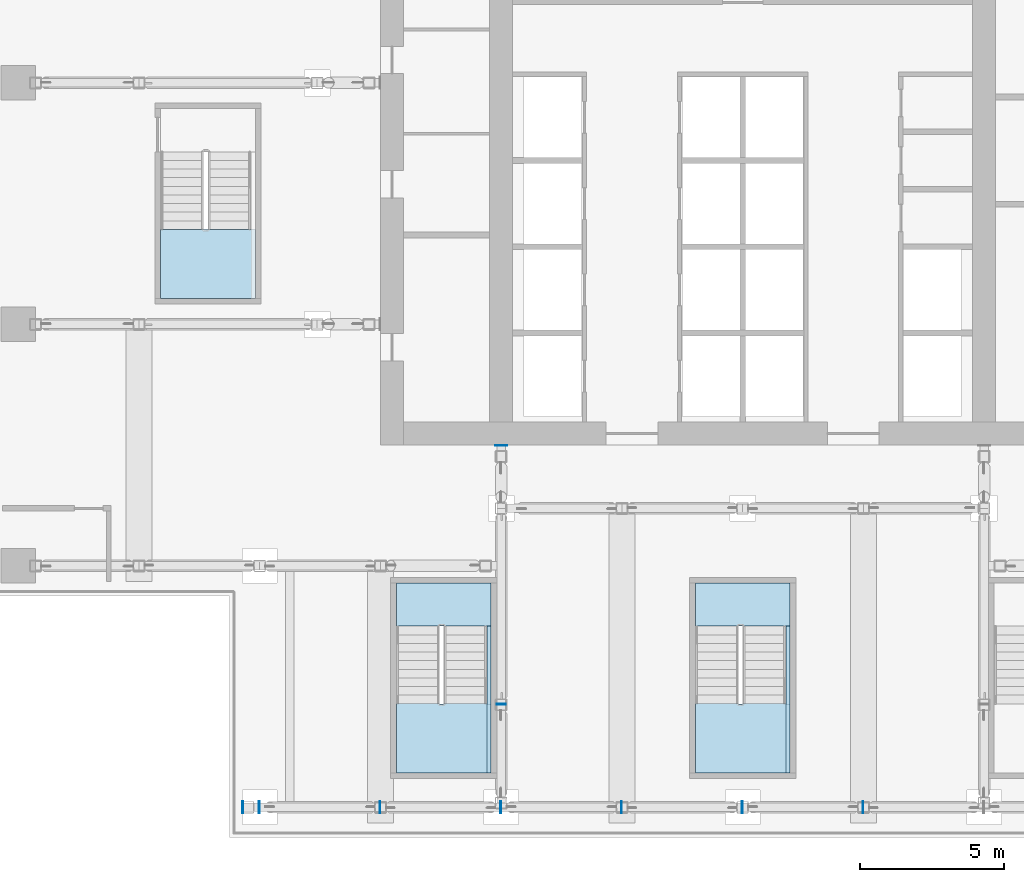
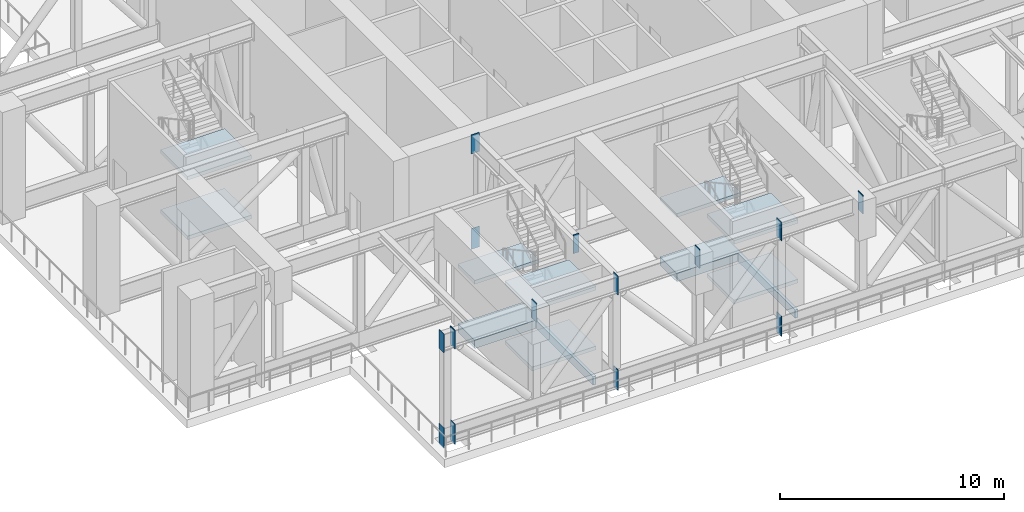
# One storey, part 5 of 23: 14 plates, 10 slabs, 3 elements without a shape of their own.
"""IFC4 building model written with IfcOpenShell, lengths in metres."""

from ifc_helpers import new_model, si_unit, direction, frame, origin, origin_2d, place, context, subcontext, project, spatial, polyline, rectangle, outline, extrude, material, layer, layer_set, type_object, element, aggregate, save


model = new_model("IFC4")

# Units and contexts
model_context = context("Model", 3, precision=1e-05, world=origin(), true_north=direction((0.0, 1.0)))
body_context = subcontext(model_context, "Body", "Model", "MODEL_VIEW")
ifc_project = project(units=[si_unit("LENGTHUNIT", "METRE"), si_unit("AREAUNIT", "SQUARE_METRE"), si_unit("VOLUMEUNIT", "CUBIC_METRE"), si_unit("PLANEANGLEUNIT", "RADIAN"), si_unit("MASSUNIT", "GRAM", prefix="KILO")], contexts=[model_context])

# Site, building, storey
site_placement = place(None, origin())
site = spatial("IfcSite", under=ifc_project, at=site_placement, CompositionType="ELEMENT")
building_placement = place(site_placement, origin())
building = spatial("IfcBuilding", under=site, at=building_placement, Name="Vermilion Ogive Tower", CompositionType="ELEMENT")
storey_placement = place(building_placement, frame((0.0, 0.0, 121.800048828125)))
storey = spatial("IfcBuildingStorey", under=building, at=storey_placement, Name="L31", CompositionType="ELEMENT", Elevation=121.800048828125)

# Plates
ifc_material_1 = material(Name="Steel S355", Category="steel")
ifc_layer_1 = layer(ifc_material_1, 0.030029296875)
ifc_layer_set_1 = layer_set([ifc_layer_1], Name="Cast-in embed plate 30")
plate_type_1 = type_object("IfcPlateType", Name="Cast-in embed plate 30", PredefinedType="USERDEFINED", material=ifc_layer_set_1)
plate_1_placement = place(storey_placement, frame((-8.39990234375, -8.4150390625, -0.06005859375), z_axis=(0.0, 0.0, 1.0), x_axis=(1.0, 0.0, 0.0)))
element("IfcPlate", 1, at=plate_1_placement, inside=storey, type_object=plate_type_1, Name="Cast-in embed plate L31-TR-NS-8.4-B1 end 1", ObjectType="EMBED PLATE", PredefinedType="USERDEFINED", context=body_context, shape_type="SweptSolid", body=[
    extrude(rectangle(XDim=0.419921875, YDim=0.030029296875, at=origin_2d()), origin(), (0.0, 0.0, 1.0), 1.1201171875),
])
plate_2_placement = place(storey_placement, frame((-8.39990234375, -8.4150390625, 5.139892578125), z_axis=(0.0, 0.0, 1.0), x_axis=(1.0, 0.0, 0.0)))
element("IfcPlate", 2, at=plate_2_placement, inside=storey, type_object=plate_type_1, Name="Cast-in embed plate L31-TR-NS-8.4-T3 end 1", ObjectType="EMBED PLATE", PredefinedType="USERDEFINED", context=body_context, shape_type="SweptSolid", body=[
    extrude(rectangle(XDim=0.419921875, YDim=0.030029296875, at=origin_2d()), origin(), (0.0, 0.0, 1.0), 1.02001953125),
])
plate_3_placement = place(storey_placement, frame((-8.39990234375, -17.418212890625, 5.139892578125), z_axis=(0.0, 0.0, 1.0), x_axis=(1.0, 0.0, 0.0)))
element("IfcPlate", 3, at=plate_3_placement, inside=storey, type_object=plate_type_1, Name="Cast-in embed plate L31-TR-NS-8.4-T4 end 2", ObjectType="EMBED PLATE", PredefinedType="USERDEFINED", context=body_context, shape_type="SweptSolid", body=[
    extrude(rectangle(XDim=0.300048828125, YDim=0.030029296875, at=origin_2d()), origin(), (0.0, 0.0, 1.0), 1.02001953125),
])
ifc_material_2 = material(Name="Steel S355", Category="steel")
ifc_layer_2 = layer(ifc_material_2, 0.030029296875)
ifc_layer_set_2 = layer_set([ifc_layer_2], Name="Connection end plate 30")
plate_type_2 = type_object("IfcPlateType", Name="Connection end plate 30", PredefinedType="USERDEFINED", material=ifc_layer_set_2)
for number, where, z_axis, x_axis, name in (
    (4, (-17.385009765625, -21.0, -0.06005859375), (0.0, 0.0, 1.0), (1.0, 0.0, 0.0), "End plate L31-TR-BELT-B1 end 1"),
    (5, (-16.81494140625, -21.0, -0.06005859375), (0.0, 0.0, 1.0), (1.0, 0.0, 0.0), "End plate L31-TR-BELT-B1 end 2"),
    (6, (-8.4150390625, -21.0, -0.06005859375), (0.0, 0.0, 1.0), (1.0, 0.0, 0.0), "End plate L31-TR-BELT-B2 end 2"),
    (7, (-0.014892578125, -21.0, -0.06005859375), (0.0, 0.0, 1.0), (1.0, 0.0, 0.0), "End plate L31-TR-BELT-B3 end 2"),
):
    element("IfcPlate", number, at=place(storey_placement, frame(where, z_axis=z_axis, x_axis=x_axis)), inside=storey, type_object=plate_type_2, Name=name, ObjectType="END PLATE", PredefinedType="USERDEFINED", context=body_context, shape_type="SweptSolid", body=[
        extrude(rectangle(XDim=0.030029296875, YDim=0.419921875, at=origin_2d()), origin(), (0.0, 0.0, 1.0), 1.1201171875),
    ])
for number, where, z_axis, x_axis, name in (
    (8, (-17.385009765625, -21.0, 5.139892578125), (0.0, 0.0, 1.0), (1.0, 0.0, 0.0), "End plate L31-TR-BELT-T6 end 1"),
    (9, (-16.81494140625, -21.0, 5.139892578125), (0.0, 0.0, 1.0), (1.0, 0.0, 0.0), "End plate L31-TR-BELT-T6 end 2"),
    (10, (-12.614990234375, -21.0, 5.139892578125), (0.0, 0.0, 1.0), (1.0, 0.0, 0.0), "End plate L31-TR-BELT-T7 end 2"),
    (11, (-8.4150390625, -21.0, 5.139892578125), (0.0, 0.0, 1.0), (1.0, 0.0, 0.0), "End plate L31-TR-BELT-T8 end 2"),
    (12, (-4.215087890625, -21.0, 5.139892578125), (0.0, 0.0, 1.0), (1.0, 0.0, 0.0), "End plate L31-TR-BELT-T9 end 2"),
    (13, (-0.014892578125, -21.0, 5.139892578125), (0.0, 0.0, 1.0), (1.0, 0.0, 0.0), "End plate L31-TR-BELT-T10 end 2"),
    (14, (4.18505859375, -21.0, 5.139892578125), (0.0, 0.0, 1.0), (1.0, 0.0, 0.0), "End plate L31-TR-BELT-T11 end 2"),
):
    element("IfcPlate", number, at=place(storey_placement, frame(where, z_axis=z_axis, x_axis=x_axis)), inside=storey, type_object=plate_type_2, Name=name, ObjectType="END PLATE", PredefinedType="USERDEFINED", context=body_context, shape_type="SweptSolid", body=[
        extrude(rectangle(XDim=0.030029296875, YDim=0.419921875, at=origin_2d()), origin(), (0.0, 0.0, 1.0), 1.02001953125),
    ])

# Slabs
ifc_material_3 = material(Name="Concrete B40", Category="concrete")
ifc_layer_3 = layer(ifc_material_3, 0.449951171875)
ifc_layer_set_3 = layer_set([ifc_layer_3], Name="Core floor slab 450 B40")
slab_type_1 = type_object("IfcSlabType", Name="Core floor slab 450 B40", PredefinedType="FLOOR", material=ifc_layer_set_3)
slab_1_placement = place(storey_placement, frame((0.0, 0.0, -0.449951171875)))
element("IfcSlab", 15, at=slab_1_placement, inside=storey, type_object=slab_type_1, Name="L31-SF-ST3-1", PredefinedType="FLOOR", context=body_context, shape_type="SweptSolid", body=[
    extrude(outline(polyline([(-12.050048828125, -13.199951171875), (-12.050048828125, -14.701904296875), (-10.550048828125, -14.701904296875), (-10.550048828125, -14.699951171875), (-10.39990234375, -14.699951171875), (-10.39990234375, -14.701904296875), (-8.89990234375, -14.701904296875), (-8.89990234375, -19.800048828125), (-8.75, -19.800048828125), (-8.75, -13.199951171875), (-12.050048828125, -13.199951171875)])), origin(), (0.0, 0.0, 1.0), 0.449951171875),
])
slab_2_placement = place(storey_placement, frame((0.0, 0.0, -0.449951171875)))
element("IfcSlab", 16, at=slab_2_placement, inside=storey, type_object=slab_type_1, Name="L31-SF-ST4-1", PredefinedType="FLOOR", context=body_context, shape_type="SweptSolid", body=[
    extrude(outline(polyline([(-1.64990234375, -13.199951171875), (-1.64990234375, -14.701904296875), (-0.14990234375, -14.701904296875), (-0.14990234375, -14.699951171875), (0.0, -14.699951171875), (0.0, -14.701904296875), (1.5, -14.701904296875), (1.5, -19.800048828125), (1.64990234375, -19.800048828125), (1.64990234375, -13.199951171875), (-1.64990234375, -13.199951171875)])), origin(), (0.0, 0.0, 1.0), 0.449951171875),
])

# Stair, slabs
ifc_material_4 = material(Name="Concrete B40", Category="concrete")
stair_type = type_object("IfcStairType", Name="Exit stair 1500", PredefinedType="HALF_TURN_STAIR", material=ifc_material_4)
stair_1_placement = place(storey_placement, origin())
stair_1 = element("IfcStair", 17, at=stair_1_placement, inside=storey, type_object=stair_type, Name="L31 Exit Stair ST3", PredefinedType="HALF_TURN_STAIR")
ifc_material_5 = material(Name="Concrete B40", Category="concrete")
ifc_layer_4 = layer(ifc_material_5, 0.199951171875)
ifc_layer_set_4 = layer_set([ifc_layer_4], Name="Stair landing 200")
slab_type_2 = type_object("IfcSlabType", Name="Stair landing 200", PredefinedType="LANDING", material=ifc_layer_set_4)
slab_3_placement = place(storey_placement, frame((0.0, 0.0, 1.425048828125)))
slab_3 = element("IfcSlab", 18, at=slab_3_placement, type_object=slab_type_2, Name="ST3 landing 1", PredefinedType="LANDING", context=body_context, shape_type="SweptSolid", body=[
    extrude(outline(polyline([(-8.75, -17.39990234375), (-8.89990234375, -17.39990234375), (-8.89990234375, -17.39794921875), (-10.39990234375, -17.39794921875), (-10.39990234375, -17.39990234375), (-10.550048828125, -17.39990234375), (-10.550048828125, -17.39794921875), (-12.050048828125, -17.39794921875), (-12.050048828125, -19.800048828125), (-8.75, -19.800048828125), (-8.75, -17.39990234375)])), origin(), (0.0, 0.0, 1.0), 0.199951171875),
])
slab_4_placement = place(storey_placement, frame((0.0, 0.0, 3.050048828125)))
slab_4 = element("IfcSlab", 19, at=slab_4_placement, type_object=slab_type_2, Name="ST3 landing 2", PredefinedType="LANDING", context=body_context, shape_type="SweptSolid", body=[
    extrude(outline(polyline([(-12.050048828125, -13.199951171875), (-12.050048828125, -14.701904296875), (-10.550048828125, -14.701904296875), (-10.550048828125, -14.699951171875), (-10.39990234375, -14.699951171875), (-10.39990234375, -14.701904296875), (-8.89990234375, -14.701904296875), (-8.89990234375, -14.699951171875), (-8.75, -14.699951171875), (-8.75, -13.199951171875), (-12.050048828125, -13.199951171875)])), origin(), (0.0, 0.0, 1.0), 0.199951171875),
])
slab_5_placement = place(storey_placement, frame((0.0, 0.0, 4.675048828125)))
slab_5 = element("IfcSlab", 20, at=slab_5_placement, type_object=slab_type_2, Name="ST3 landing 3", PredefinedType="LANDING", context=body_context, shape_type="SweptSolid", body=[
    extrude(outline(polyline([(-8.75, -17.39990234375), (-8.89990234375, -17.39990234375), (-8.89990234375, -17.39794921875), (-10.39990234375, -17.39794921875), (-10.39990234375, -17.39990234375), (-10.550048828125, -17.39990234375), (-10.550048828125, -17.39794921875), (-12.050048828125, -17.39794921875), (-12.050048828125, -19.800048828125), (-8.75, -19.800048828125), (-8.75, -17.39990234375)])), origin(), (0.0, 0.0, 1.0), 0.199951171875),
])
aggregate(stair_1, [slab_3, slab_4, slab_5])

stair_2_placement = place(storey_placement, origin())
stair_2 = element("IfcStair", 21, at=stair_2_placement, inside=storey, type_object=stair_type, Name="L31 Exit Stair ST4", PredefinedType="HALF_TURN_STAIR")
slab_6_placement = place(storey_placement, frame((0.0, 0.0, 1.425048828125)))
slab_6 = element("IfcSlab", 22, at=slab_6_placement, type_object=slab_type_2, Name="ST4 landing 1", PredefinedType="LANDING", context=body_context, shape_type="SweptSolid", body=[
    extrude(outline(polyline([(1.64990234375, -17.39990234375), (1.5, -17.39990234375), (1.5, -17.39794921875), (0.0, -17.39794921875), (0.0, -17.39990234375), (-0.14990234375, -17.39990234375), (-0.14990234375, -17.39794921875), (-1.64990234375, -17.39794921875), (-1.64990234375, -19.800048828125), (1.64990234375, -19.800048828125), (1.64990234375, -17.39990234375)])), origin(), (0.0, 0.0, 1.0), 0.199951171875),
])
slab_7_placement = place(storey_placement, frame((0.0, 0.0, 3.050048828125)))
slab_7 = element("IfcSlab", 23, at=slab_7_placement, type_object=slab_type_2, Name="ST4 landing 2", PredefinedType="LANDING", context=body_context, shape_type="SweptSolid", body=[
    extrude(outline(polyline([(-1.64990234375, -13.199951171875), (-1.64990234375, -14.701904296875), (-0.14990234375, -14.701904296875), (-0.14990234375, -14.699951171875), (0.0, -14.699951171875), (0.0, -14.701904296875), (1.5, -14.701904296875), (1.5, -14.699951171875), (1.64990234375, -14.699951171875), (1.64990234375, -13.199951171875), (-1.64990234375, -13.199951171875)])), origin(), (0.0, 0.0, 1.0), 0.199951171875),
])
slab_8_placement = place(storey_placement, frame((0.0, 0.0, 4.675048828125)))
slab_8 = element("IfcSlab", 24, at=slab_8_placement, type_object=slab_type_2, Name="ST4 landing 3", PredefinedType="LANDING", context=body_context, shape_type="SweptSolid", body=[
    extrude(outline(polyline([(1.64990234375, -17.39990234375), (1.5, -17.39990234375), (1.5, -17.39794921875), (0.0, -17.39794921875), (0.0, -17.39990234375), (-0.14990234375, -17.39990234375), (-0.14990234375, -17.39794921875), (-1.64990234375, -17.39794921875), (-1.64990234375, -19.800048828125), (1.64990234375, -19.800048828125), (1.64990234375, -17.39990234375)])), origin(), (0.0, 0.0, 1.0), 0.199951171875),
])
aggregate(stair_2, [slab_6, slab_7, slab_8])

stair_3_placement = place(storey_placement, origin())
stair_3 = element("IfcStair", 25, at=stair_3_placement, inside=storey, type_object=stair_type, Name="L31 Exit Stair ST9", PredefinedType="HALF_TURN_STAIR")
slab_9_placement = place(storey_placement, frame((0.0, 0.0, 1.425048828125)))
slab_9 = element("IfcSlab", 26, at=slab_9_placement, type_object=slab_type_2, Name="ST9 landing 1", PredefinedType="LANDING", context=body_context, shape_type="SweptSolid", body=[
    extrude(outline(polyline([(-16.949951171875, -0.89990234375), (-17.10009765625, -0.89990234375), (-17.10009765625, -0.89794921875), (-18.60009765625, -0.89794921875), (-18.60009765625, -0.89990234375), (-18.75, -0.89990234375), (-18.75, -0.89794921875), (-20.25, -0.89794921875), (-20.25, -3.300048828125), (-16.949951171875, -3.300048828125), (-16.949951171875, -0.89990234375)])), origin(), (0.0, 0.0, 1.0), 0.199951171875),
])
slab_10_placement = place(storey_placement, frame((0.0, 0.0, 4.675048828125)))
slab_10 = element("IfcSlab", 27, at=slab_10_placement, type_object=slab_type_2, Name="ST9 landing 3", PredefinedType="LANDING", context=body_context, shape_type="SweptSolid", body=[
    extrude(outline(polyline([(-16.949951171875, -0.89990234375), (-17.10009765625, -0.89990234375), (-17.10009765625, -0.89794921875), (-18.60009765625, -0.89794921875), (-18.60009765625, -0.89990234375), (-18.75, -0.89990234375), (-18.75, -0.89794921875), (-20.25, -0.89794921875), (-20.25, -3.300048828125), (-16.949951171875, -3.300048828125), (-16.949951171875, -0.89990234375)])), origin(), (0.0, 0.0, 1.0), 0.199951171875),
])
aggregate(stair_3, [slab_9, slab_10])

save(model, "model.ifc")
